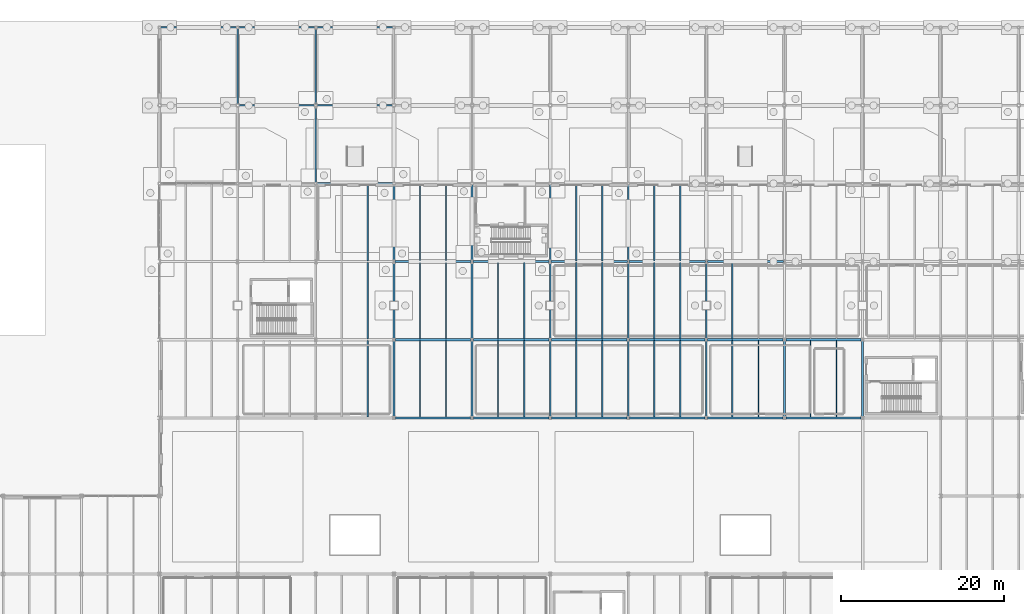
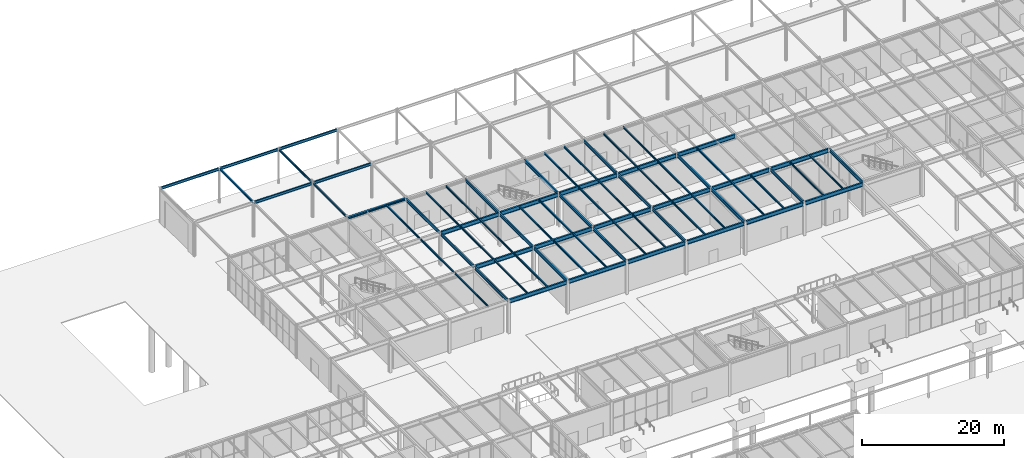
# One storey, part 78 of 142: 72 beams.
"""IFC4 building model written with IfcOpenShell, lengths in metres."""

import ifcopenshell
import ifcopenshell.guid

model = None  # the IFC model being written
_history = None  # IfcOwnerHistory: only IFC2X3 demands one
_inside = {}  # id of a spatial element -> (the spatial element, [elements in it])
_under = {}  # id of a project, library or spatial element -> (it, [spatial elements below it])
_declared = {}  # id of a project -> (the project, [libraries it declares])
_typed = {}  # id of a type object -> (the type object, [elements of that type])
_made_of = {}  # id of a material, layer set ... -> (it, [elements and type objects made of it])


def new_model(schema):
    """Start an empty IFC model of exactly this schema.

    Asked for "IFC4X3", IfcOpenShell would pick the latest addendum, in which some entities
    have other attributes; the version numbers below select the first issue.
    IFC2X3 requires an IfcOwnerHistory on every rooted entity: one is made here for all.
    """
    global model, _history
    if schema == "IFC4X3":
        model = ifcopenshell.file(schema_version=(4, 3, 0, 0))
    else:
        model = ifcopenshell.file(schema=schema)
    _inside.clear()
    _under.clear()
    _declared.clear()
    _typed.clear()
    _made_of.clear()
    _history = None
    if model.schema == "IFC2X3":
        org = make("IfcOrganization", Name="unknown")
        user = make(
            "IfcPersonAndOrganization",
            ThePerson=make("IfcPerson", FamilyName="unknown"),
            TheOrganization=org,
        )
        app = make(
            "IfcApplication",
            ApplicationDeveloper=org,
            Version="unknown",
            ApplicationFullName="unknown",
            ApplicationIdentifier="unknown",
        )
        _history = make(
            "IfcOwnerHistory",
            OwningUser=user,
            OwningApplication=app,
            ChangeAction="ADDED",
            CreationDate=0,
        )
    return model


def make(cls, **values):
    """One entity of the class cls with the attributes given. An attribute that is None is left unset."""
    return model.create_entity(
        cls, **{name: value for name, value in values.items() if value is not None}
    )


def rooted(cls, **values):
    """An entity with a GlobalId (a new one), such as an element, a storey or a relation."""
    return make(cls, GlobalId=ifcopenshell.guid.new(), OwnerHistory=_history, **values)


def si_unit(unit_type, name, prefix=None):
    """IfcSIUnit, for example si_unit("LENGTHUNIT", "METRE", prefix="MILLI")."""
    return make("IfcSIUnit", UnitType=unit_type, Prefix=prefix, Name=name)


def assignment(units):
    """IfcUnitAssignment: the units of a project."""
    return None if units is None else make("IfcUnitAssignment", Units=units)


def point(xyz):
    """IfcCartesianPoint."""
    return None if xyz is None else make("IfcCartesianPoint", Coordinates=xyz)


def direction(xyz):
    """IfcDirection."""
    return None if xyz is None else make("IfcDirection", DirectionRatios=xyz)


def frame(location, z_axis=None, x_axis=None):
    """IfcAxis2Placement3D, a coordinate frame: its origin and axes. An axis left out is left unset."""
    return make(
        "IfcAxis2Placement3D",
        Location=point(location),
        Axis=direction(z_axis),
        RefDirection=direction(x_axis),
    )


def frame_2d(location, x_axis=None):
    """IfcAxis2Placement2D, a coordinate frame in the plane: its origin and x axis."""
    return make(
        "IfcAxis2Placement2D", Location=point(location), RefDirection=direction(x_axis)
    )


def origin():
    """The frame at (0, 0, 0) with its axes left unset."""
    return frame((0.0, 0.0, 0.0))


def origin_2d():
    """The frame at (0, 0) in the plane with its x axis left unset."""
    return frame_2d((0.0, 0.0))


def place(relative_to, where):
    """IfcLocalPlacement: puts the frame where relative to a parent placement (None: the world)."""
    return make(
        "IfcLocalPlacement", PlacementRelTo=relative_to, RelativePlacement=where
    )


def context(
    kind, dimensions, precision=None, world=None, true_north=None, identifier=None
):
    """IfcGeometricRepresentationContext, for example the 3D "Model" context."""
    return make(
        "IfcGeometricRepresentationContext",
        ContextIdentifier=identifier,
        ContextType=kind,
        CoordinateSpaceDimension=dimensions,
        Precision=precision,
        WorldCoordinateSystem=world,
        TrueNorth=true_north,
    )


def subcontext(parent, identifier, kind, view, scale=None):
    """IfcGeometricRepresentationSubContext, for example "Body" below "Model"."""
    return make(
        "IfcGeometricRepresentationSubContext",
        ContextIdentifier=identifier,
        ContextType=kind,
        ParentContext=parent,
        TargetScale=scale,
        TargetView=view,
    )


def project(units=None, contexts=None):
    """IfcProject with its units and contexts."""
    return rooted(
        "IfcProject",
        Name="project",
        RepresentationContexts=contexts,
        UnitsInContext=assignment(units),
    )


def spatial(cls, under=None, at=None, **own):
    """A site, building, storey or space (cls), placed at a placement, below another one or the project."""
    s = rooted(cls, ObjectPlacement=at, **own)
    if under is not None:
        _under.setdefault(under.id(), (under, []))[1].append(s)
    return s


def profile(cls, at=None, kind="AREA", **sizes):
    """A parametric profile (cls). Its sizes go by their IFC names, for example OverallWidth=200.0."""
    return make(cls, ProfileType=kind, Position=at, **sizes)


def i_section(**sizes):
    """IfcIShapeProfileDef."""
    return profile("IfcIShapeProfileDef", **sizes)


def extrude(swept, where, along, depth):
    """IfcExtrudedAreaSolid: the profile swept, set in the frame where, extruded along a direction by depth."""
    return make(
        "IfcExtrudedAreaSolid",
        SweptArea=swept,
        Position=where,
        ExtrudedDirection=direction(along),
        Depth=depth,
    )


def shape(context_of_items, identifier, shape_type, items):
    """IfcShapeRepresentation: the items that make up one representation, for example the "Body"."""
    return make(
        "IfcShapeRepresentation",
        ContextOfItems=context_of_items,
        RepresentationIdentifier=identifier,
        RepresentationType=shape_type,
        Items=items,
    )


def material(Name=None, Category=None):
    """IfcMaterial."""
    return make("IfcMaterial", Name=Name, Category=Category)


def material_profile(
    of_material, cross_section, Name=None, Category=None, Priority=None
):
    """IfcMaterialProfile: a cross section and its material."""
    return make(
        "IfcMaterialProfile",
        Name=Name,
        Material=of_material,
        Profile=cross_section,
        Priority=Priority,
        Category=Category,
    )


def profile_set(profiles, Name=None, composite=None):
    """IfcMaterialProfileSet."""
    return make(
        "IfcMaterialProfileSet",
        Name=Name,
        MaterialProfiles=profiles,
        CompositeProfile=composite,
    )


def made_of(thing, what):
    """Note that an element or type object is made of a material, layer set ...; save() writes the relation."""
    if what is not None:
        _made_of.setdefault(what.id(), (what, []))[1].append(thing)
    return thing


def type_object(cls, material=None, **own):
    """A type object (cls), such as IfcWallType, which elements share."""
    return made_of(rooted(cls, **own), material)


def element(
    cls,
    number,
    at=None,
    inside=None,
    cuts=None,
    type_object=None,
    material=None,
    context=None,
    identifier="Body",
    shape_type=None,
    held_by="IfcProductDefinitionShape",
    body=None,
    shapes=None,
    **own,
):
    """One element of the class cls, such as IfcWall. Its Tag is "e" and its number.

    at: its placement. inside: the storey or other place that contains it. cuts: it is an
    opening in that element (IfcRelVoidsElement). A single representation is given by context,
    identifier, shape_type and body (its items); several are given by shapes. held_by: the class
    of the entity that holds the representations. save() writes the other relations.
    """
    e = rooted(cls, Tag="e%d" % number, ObjectPlacement=at, **own)
    if body is not None:
        shapes = [shape(context, identifier, shape_type, body)]
    if shapes is not None:
        e.Representation = make(held_by, Representations=shapes)
    if inside is not None:
        _inside.setdefault(inside.id(), (inside, []))[1].append(e)
    if cuts is not None:
        rooted(
            "IfcRelVoidsElement", RelatingBuildingElement=cuts, RelatedOpeningElement=e
        )
    if type_object is not None:
        _typed.setdefault(type_object.id(), (type_object, []))[1].append(e)
    return made_of(e, material)


def aggregate(whole, parts):
    """IfcRelAggregates: a whole, such as a stair, and the parts it consists of."""
    return rooted("IfcRelAggregates", RelatingObject=whole, RelatedObjects=parts)


def save(model, path):
    """Write the relations noted so far, then the file.

    IfcRelAggregates (storeys below a building ...), IfcRelContainedInSpatialStructure (elements
    in a storey), IfcRelDefinesByType, IfcRelAssociatesMaterial and IfcRelDeclares: one each for
    every whole, place, type object, material and project.
    """
    for whole, parts in _under.values():
        aggregate(whole, parts)
    for where, things in _inside.values():
        rooted(
            "IfcRelContainedInSpatialStructure",
            RelatedElements=things,
            RelatingStructure=where,
        )
    for kind, things in _typed.values():
        rooted("IfcRelDefinesByType", RelatedObjects=things, RelatingType=kind)
    for what, things in _made_of.values():
        rooted("IfcRelAssociatesMaterial", RelatedObjects=things, RelatingMaterial=what)
    for by, libraries in _declared.values():
        rooted("IfcRelDeclares", RelatingContext=by, RelatedDefinitions=libraries)
    model.write(path)


model = new_model("IFC4")

# Units and contexts
model_context = context("Model", 3, precision=1e-05, world=origin(), true_north=direction((0.0, 1.0)))
body_context = subcontext(model_context, "Body", "Model", "MODEL_VIEW")
ifc_project = project(units=[si_unit("LENGTHUNIT", "METRE"), si_unit("AREAUNIT", "SQUARE_METRE"), si_unit("VOLUMEUNIT", "CUBIC_METRE"), si_unit("PLANEANGLEUNIT", "RADIAN"), si_unit("MASSUNIT", "GRAM", prefix="KILO")], contexts=[model_context])

# Site, building, storey
site_placement = place(None, origin())
site = spatial("IfcSite", under=ifc_project, at=site_placement, CompositionType="ELEMENT")
building_placement = place(site_placement, origin())
building = spatial("IfcBuilding", under=site, at=building_placement, Name="Coralgate Yard Interchange", CompositionType="ELEMENT")
storey_placement = place(building_placement, origin())
storey = spatial("IfcBuildingStorey", under=building, at=storey_placement, Name="L00", CompositionType="ELEMENT", Elevation=0.0)

# Beams
ifc_material = material(Name="Structural steel S355J2", Category="steel")
ifc_material_profile_1 = material_profile(ifc_material, i_section(OverallWidth=0.209228515625, OverallDepth=0.533203125, WebThickness=0.010009765625, FlangeThickness=0.015625, FilletRadius=0.0126953125, at=origin_2d()), Name="UB 533x210x92")
ifc_profile_set_1 = profile_set([ifc_material_profile_1], Name="Structural steel S355J2")
beam_type_1 = type_object("IfcBeamType", Name="BM-SB-1", PredefinedType="BEAM", material=ifc_profile_set_1)
beam_1_placement = place(storey_placement, frame((67.199951171875, 67.36669921875, 5.4833984375), z_axis=(0.0, 1.0, 0.0), x_axis=(-1.0, 0.0, 0.0)))
element("IfcBeam", 1, at=beam_1_placement, inside=storey, type_object=beam_type_1, Name="L00 primary grid girder X7 Y7-8", PredefinedType="BEAM", context=body_context, shape_type="SweptSolid", body=[
    extrude(i_section(OverallWidth=0.209228515625, OverallDepth=0.533203125, WebThickness=0.010009765625, FlangeThickness=0.015625, FilletRadius=0.0126953125, at=origin_2d()), origin(), (0.0, 0.0, 1.0), 9.2666015625),
])
beam_2_placement = place(storey_placement, frame((67.199951171875, 76.966796875, 5.4833984375), z_axis=(0.0, 1.0, 0.0), x_axis=(-1.0, 0.0, 0.0)))
element("IfcBeam", 2, at=beam_2_placement, inside=storey, type_object=beam_type_1, Name="L00 primary grid girder X7 Y8-9", PredefinedType="BEAM", context=body_context, shape_type="SweptSolid", body=[
    extrude(i_section(OverallWidth=0.209228515625, OverallDepth=0.533203125, WebThickness=0.010009765625, FlangeThickness=0.015625, FilletRadius=0.0126953125, at=origin_2d()), origin(), (0.0, 0.0, 1.0), 9.213134765625),
])
beam_3_placement = place(storey_placement, frame((67.199951171875, 86.6201171875, 5.4833984375), z_axis=(0.0, 1.0, 0.0), x_axis=(-1.0, 0.0, 0.0)))
element("IfcBeam", 3, at=beam_3_placement, inside=storey, type_object=beam_type_1, Name="L00 primary grid girder X7 Y9-10", PredefinedType="BEAM", context=body_context, shape_type="SweptSolid", body=[
    extrude(i_section(OverallWidth=0.209228515625, OverallDepth=0.533203125, WebThickness=0.010009765625, FlangeThickness=0.015625, FilletRadius=0.0126953125, at=origin_2d()), origin(), (0.0, 0.0, 1.0), 9.247802734375),
])
beam_4_placement = place(storey_placement, frame((76.800048828125, 67.36669921875, 5.4833984375), z_axis=(0.0, 1.0, 0.0), x_axis=(-1.0, 0.0, 0.0)))
element("IfcBeam", 4, at=beam_4_placement, inside=storey, type_object=beam_type_1, Name="L00 primary grid girder X8 Y7-8", PredefinedType="BEAM", context=body_context, shape_type="SweptSolid", body=[
    extrude(i_section(OverallWidth=0.209228515625, OverallDepth=0.533203125, WebThickness=0.010009765625, FlangeThickness=0.015625, FilletRadius=0.0126953125, at=origin_2d()), origin(), (0.0, 0.0, 1.0), 9.2666015625),
])
beam_5_placement = place(storey_placement, frame((76.800048828125, 76.966796875, 5.4833984375), z_axis=(0.0, 1.0, 0.0), x_axis=(-1.0, 0.0, 0.0)))
element("IfcBeam", 5, at=beam_5_placement, inside=storey, type_object=beam_type_1, Name="L00 primary grid girder X8 Y8-9", PredefinedType="BEAM", context=body_context, shape_type="SweptSolid", body=[
    extrude(i_section(OverallWidth=0.209228515625, OverallDepth=0.533203125, WebThickness=0.010009765625, FlangeThickness=0.015625, FilletRadius=0.0126953125, at=origin_2d()), origin(), (0.0, 0.0, 1.0), 9.213134765625),
])
beam_6_placement = place(storey_placement, frame((76.800048828125, 86.6201171875, 5.4833984375), z_axis=(0.0, 1.0, 0.0), x_axis=(-1.0, 0.0, 0.0)))
element("IfcBeam", 6, at=beam_6_placement, inside=storey, type_object=beam_type_1, Name="L00 primary grid girder X8 Y9-10", PredefinedType="BEAM", context=body_context, shape_type="SweptSolid", body=[
    extrude(i_section(OverallWidth=0.209228515625, OverallDepth=0.533203125, WebThickness=0.010009765625, FlangeThickness=0.015625, FilletRadius=0.0126953125, at=origin_2d()), origin(), (0.0, 0.0, 1.0), 9.247802734375),
])
beam_7_placement = place(storey_placement, frame((86.39990234375, 67.36669921875, 5.4833984375), z_axis=(0.0, 1.0, 0.0), x_axis=(-1.0, 0.0, 0.0)))
element("IfcBeam", 7, at=beam_7_placement, inside=storey, type_object=beam_type_1, Name="L00 primary grid girder X9 Y7-8", PredefinedType="BEAM", context=body_context, shape_type="SweptSolid", body=[
    extrude(i_section(OverallWidth=0.209228515625, OverallDepth=0.533203125, WebThickness=0.010009765625, FlangeThickness=0.015625, FilletRadius=0.0126953125, at=origin_2d()), origin(), (0.0, 0.0, 1.0), 9.2666015625),
])
beam_8_placement = place(storey_placement, frame((86.39990234375, 76.966796875, 5.4833984375), z_axis=(0.0, 1.0, 0.0), x_axis=(-1.0, 0.0, 0.0)))
element("IfcBeam", 8, at=beam_8_placement, inside=storey, type_object=beam_type_1, Name="L00 primary grid girder X9 Y8-9", PredefinedType="BEAM", context=body_context, shape_type="SweptSolid", body=[
    extrude(i_section(OverallWidth=0.209228515625, OverallDepth=0.533203125, WebThickness=0.010009765625, FlangeThickness=0.015625, FilletRadius=0.0126953125, at=origin_2d()), origin(), (0.0, 0.0, 1.0), 9.213134765625),
])
beam_9_placement = place(storey_placement, frame((86.39990234375, 86.6201171875, 5.4833984375), z_axis=(0.0, 1.0, 0.0), x_axis=(-1.0, 0.0, 0.0)))
element("IfcBeam", 9, at=beam_9_placement, inside=storey, type_object=beam_type_1, Name="L00 primary grid girder X9 Y9-10", PredefinedType="BEAM", context=body_context, shape_type="SweptSolid", body=[
    extrude(i_section(OverallWidth=0.209228515625, OverallDepth=0.533203125, WebThickness=0.010009765625, FlangeThickness=0.015625, FilletRadius=0.0126953125, at=origin_2d()), origin(), (0.0, 0.0, 1.0), 9.247802734375),
])
beam_10_placement = place(storey_placement, frame((96.0, 67.36669921875, 5.4833984375), z_axis=(0.0, 1.0, 0.0), x_axis=(-1.0, 0.0, 0.0)))
element("IfcBeam", 10, at=beam_10_placement, inside=storey, type_object=beam_type_1, Name="L00 primary grid girder X10 Y7-8", PredefinedType="BEAM", context=body_context, shape_type="SweptSolid", body=[
    extrude(i_section(OverallWidth=0.209228515625, OverallDepth=0.533203125, WebThickness=0.010009765625, FlangeThickness=0.015625, FilletRadius=0.0126953125, at=origin_2d()), origin(), (0.0, 0.0, 1.0), 9.2666015625),
])
beam_11_placement = place(storey_placement, frame((96.0, 76.966796875, 5.4833984375), z_axis=(0.0, 1.0, 0.0), x_axis=(-1.0, 0.0, 0.0)))
element("IfcBeam", 11, at=beam_11_placement, inside=storey, type_object=beam_type_1, Name="L00 primary grid girder X10 Y8-9", PredefinedType="BEAM", context=body_context, shape_type="SweptSolid", body=[
    extrude(i_section(OverallWidth=0.209228515625, OverallDepth=0.533203125, WebThickness=0.010009765625, FlangeThickness=0.015625, FilletRadius=0.0126953125, at=origin_2d()), origin(), (0.0, 0.0, 1.0), 9.213134765625),
])
beam_12_placement = place(storey_placement, frame((96.0, 86.6201171875, 5.4833984375), z_axis=(0.0, 1.0, 0.0), x_axis=(-1.0, 0.0, 0.0)))
element("IfcBeam", 12, at=beam_12_placement, inside=storey, type_object=beam_type_1, Name="L00 primary grid girder X10 Y9-10", PredefinedType="BEAM", context=body_context, shape_type="SweptSolid", body=[
    extrude(i_section(OverallWidth=0.209228515625, OverallDepth=0.533203125, WebThickness=0.010009765625, FlangeThickness=0.015625, FilletRadius=0.0126953125, at=origin_2d()), origin(), (0.0, 0.0, 1.0), 9.247802734375),
])
beam_13_placement = place(storey_placement, frame((105.60009765625, 67.36669921875, 5.4833984375), z_axis=(0.0, 1.0, 0.0), x_axis=(-1.0, 0.0, 0.0)))
element("IfcBeam", 13, at=beam_13_placement, inside=storey, type_object=beam_type_1, Name="L00 primary grid girder X11 Y7-8", PredefinedType="BEAM", context=body_context, shape_type="SweptSolid", body=[
    extrude(i_section(OverallWidth=0.209228515625, OverallDepth=0.533203125, WebThickness=0.010009765625, FlangeThickness=0.015625, FilletRadius=0.0126953125, at=origin_2d()), origin(), (0.0, 0.0, 1.0), 9.2666015625),
])
beam_14_placement = place(storey_placement, frame((105.60009765625, 76.966796875, 5.4833984375), z_axis=(0.0, 1.0, 0.0), x_axis=(-1.0, 0.0, 0.0)))
element("IfcBeam", 14, at=beam_14_placement, inside=storey, type_object=beam_type_1, Name="L00 primary grid girder X11 Y8-9", PredefinedType="BEAM", context=body_context, shape_type="SweptSolid", body=[
    extrude(i_section(OverallWidth=0.209228515625, OverallDepth=0.533203125, WebThickness=0.010009765625, FlangeThickness=0.015625, FilletRadius=0.0126953125, at=origin_2d()), origin(), (0.0, 0.0, 1.0), 9.213134765625),
])
for number, where, z_axis, x_axis, name in (
    (15, (115.199951171875, 67.36669921875, 5.4833984375), (0.0, 1.0, 0.0), (-1.0, 0.0, 0.0), "L00 primary grid girder X12 Y7-8"),
    (16, (124.800048828125, 67.36669921875, 5.4833984375), (0.0, 1.0, 0.0), (-1.0, 0.0, 0.0), "L00 primary grid girder X13 Y7-8"),
):
    element("IfcBeam", number, at=place(storey_placement, frame(where, z_axis=z_axis, x_axis=x_axis)), inside=storey, type_object=beam_type_1, Name=name, PredefinedType="BEAM", context=body_context, shape_type="SweptSolid", body=[
        extrude(i_section(OverallWidth=0.209228515625, OverallDepth=0.533203125, WebThickness=0.010009765625, FlangeThickness=0.015625, FilletRadius=0.0126953125, at=origin_2d()), origin(), (0.0, 0.0, 1.0), 9.2666015625),
    ])
ifc_material_profile_2 = material_profile(ifc_material, i_section(OverallWidth=0.1904296875, OverallDepth=0.45703125, WebThickness=0.009033203125, FlangeThickness=0.014404296875, FilletRadius=0.01025390625, at=origin_2d()), Name="UB 457x191x74")
ifc_profile_set_2 = profile_set([ifc_material_profile_2], Name="Structural steel S355J2")
beam_type_2 = type_object("IfcBeamType", Name="BM-SB-2", PredefinedType="BEAM", material=ifc_profile_set_2)
beam_15_placement = place(storey_placement, frame((48.1201171875, 105.60009765625, 5.771484375), z_axis=(1.0, 0.0, 0.0), x_axis=(0.0, 1.0, 0.0)))
element("IfcBeam", 17, at=beam_15_placement, inside=storey, type_object=beam_type_2, Name="Wave-canopy valley support girder Y11-X5", PredefinedType="BEAM", context=body_context, shape_type="SweptSolid", body=[
    extrude(i_section(OverallWidth=0.1904296875, OverallDepth=0.45703125, WebThickness=0.009033203125, FlangeThickness=0.014404296875, FilletRadius=0.01025390625, at=origin_2d()), origin(), (0.0, 0.0, 1.0), 9.35986328125),
])
beam_16_placement = place(storey_placement, frame((57.719970703125, 105.60009765625, 5.771484375), z_axis=(1.0, 0.0, 0.0), x_axis=(0.0, 1.0, 0.0)))
element("IfcBeam", 18, at=beam_16_placement, inside=storey, type_object=beam_type_2, Name="Wave-canopy valley support girder Y11-X6", PredefinedType="BEAM", context=body_context, shape_type="SweptSolid", body=[
    extrude(i_section(OverallWidth=0.1904296875, OverallDepth=0.45703125, WebThickness=0.009033203125, FlangeThickness=0.014404296875, FilletRadius=0.01025390625, at=origin_2d()), origin(), (0.0, 0.0, 1.0), 9.360107421875),
])
for number, where, z_axis, x_axis, name in (
    (19, (38.52001953125, 115.199951171875, 5.771484375), (1.0, 0.0, 0.0), (0.0, 1.0, 0.0), "Wave-canopy valley support girder Y12-X4"),
    (20, (48.1201171875, 115.199951171875, 5.771484375), (1.0, 0.0, 0.0), (0.0, 1.0, 0.0), "Wave-canopy valley support girder Y12-X5"),
):
    element("IfcBeam", number, at=place(storey_placement, frame(where, z_axis=z_axis, x_axis=x_axis)), inside=storey, type_object=beam_type_2, Name=name, PredefinedType="BEAM", context=body_context, shape_type="SweptSolid", body=[
        extrude(i_section(OverallWidth=0.1904296875, OverallDepth=0.45703125, WebThickness=0.009033203125, FlangeThickness=0.014404296875, FilletRadius=0.01025390625, at=origin_2d()), origin(), (0.0, 0.0, 1.0), 9.35986328125),
    ])
beam_17_placement = place(storey_placement, frame((57.719970703125, 115.199951171875, 5.771484375), z_axis=(1.0, 0.0, 0.0), x_axis=(0.0, 1.0, 0.0)))
element("IfcBeam", 21, at=beam_17_placement, inside=storey, type_object=beam_type_2, Name="Wave-canopy valley support girder Y12-X6", PredefinedType="BEAM", context=body_context, shape_type="SweptSolid", body=[
    extrude(i_section(OverallWidth=0.1904296875, OverallDepth=0.45703125, WebThickness=0.009033203125, FlangeThickness=0.014404296875, FilletRadius=0.01025390625, at=origin_2d()), origin(), (0.0, 0.0, 1.0), 9.360107421875),
])
ifc_material_profile_3 = material_profile(ifc_material, i_section(OverallWidth=0.17138671875, OverallDepth=0.35498046875, WebThickness=0.00732421875, FlangeThickness=0.011474609375, FilletRadius=0.01025390625, at=origin_2d()), Name="UB 356x171x51")
ifc_profile_set_3 = profile_set([ifc_material_profile_3], Name="Structural steel S355J2")
beam_type_3 = type_object("IfcBeamType", Name="BM-SB-4", PredefinedType="BEAM", material=ifc_profile_set_3)
for number, where, z_axis, x_axis, name in (
    (22, (48.0, 105.739990234375, 5.822509765625), (0.0, 1.0, 0.0), (-1.0, 0.0, 0.0), "Wave-canopy transverse girder X5-Y11"),
    (23, (57.60009765625, 96.139892578125, 5.822509765625), (0.0, 1.0, 0.0), (-1.0, 0.0, 0.0), "Wave-canopy transverse girder X6-Y10"),
    (24, (57.60009765625, 105.739990234375, 5.822509765625), (0.0, 1.0, 0.0), (-1.0, 0.0, 0.0), "Wave-canopy transverse girder X6-Y11"),
):
    element("IfcBeam", number, at=place(storey_placement, frame(where, z_axis=z_axis, x_axis=x_axis)), inside=storey, type_object=beam_type_3, Name=name, PredefinedType="BEAM", context=body_context, shape_type="SweptSolid", body=[
        extrude(i_section(OverallWidth=0.17138671875, OverallDepth=0.35498046875, WebThickness=0.00732421875, FlangeThickness=0.011474609375, FilletRadius=0.01025390625, at=origin_2d()), origin(), (0.0, 0.0, 1.0), 9.320068359375),
    ])
ifc_material_profile_4 = material_profile(ifc_material, i_section(OverallWidth=0.253662109375, OverallDepth=0.68359375, WebThickness=0.012451171875, FlangeThickness=0.01904296875, FilletRadius=0.01513671875, at=origin_2d()), Name="UB 686x254x140")
ifc_profile_set_4 = profile_set([ifc_material_profile_4], Name="Structural steel S355J2")
beam_type_4 = type_object("IfcBeamType", Name="BM-SG-4", PredefinedType="BEAM", material=ifc_profile_set_4)
beam_18_placement = place(storey_placement, frame((67.369384765625, 67.199951171875, 5.408203125), z_axis=(1.0, 0.0, 0.0), x_axis=(0.0, 1.0, 0.0)))
element("IfcBeam", 25, at=beam_18_placement, inside=storey, type_object=beam_type_4, Name="L00 primary grid beam Y7 X7-8", PredefinedType="BEAM", context=body_context, shape_type="SweptSolid", body=[
    extrude(i_section(OverallWidth=0.253662109375, OverallDepth=0.68359375, WebThickness=0.012451171875, FlangeThickness=0.01904296875, FilletRadius=0.01513671875, at=origin_2d()), origin(), (0.0, 0.0, 1.0), 9.26123046875),
])
for number, where, z_axis, x_axis, name in (
    (26, (76.969482421875, 67.199951171875, 5.408203125), (1.0, 0.0, 0.0), (0.0, 1.0, 0.0), "L00 primary grid beam Y7 X8-9"),
    (27, (86.569580078125, 67.199951171875, 5.408203125), (1.0, 0.0, 0.0), (0.0, 1.0, 0.0), "L00 primary grid beam Y7 X9-10"),
    (28, (96.16943359375, 67.199951171875, 5.408203125), (1.0, 0.0, 0.0), (0.0, 1.0, 0.0), "L00 primary grid beam Y7 X10-11"),
    (29, (105.76953125, 67.199951171875, 5.408203125), (1.0, 0.0, 0.0), (0.0, 1.0, 0.0), "L00 primary grid beam Y7 X11-12"),
):
    element("IfcBeam", number, at=place(storey_placement, frame(where, z_axis=z_axis, x_axis=x_axis)), inside=storey, type_object=beam_type_4, Name=name, PredefinedType="BEAM", context=body_context, shape_type="SweptSolid", body=[
        extrude(i_section(OverallWidth=0.253662109375, OverallDepth=0.68359375, WebThickness=0.012451171875, FlangeThickness=0.01904296875, FilletRadius=0.01513671875, at=origin_2d()), origin(), (0.0, 0.0, 1.0), 9.260986328125),
    ])
for number, where, z_axis, x_axis, name in (
    (30, (115.369384765625, 67.199951171875, 5.408203125), (1.0, 0.0, 0.0), (0.0, 1.0, 0.0), "L00 primary grid beam Y7 X12-13"),
    (31, (67.369384765625, 76.800048828125, 5.408203125), (1.0, 0.0, 0.0), (0.0, 1.0, 0.0), "L00 primary grid beam Y8 X7-8"),
):
    element("IfcBeam", number, at=place(storey_placement, frame(where, z_axis=z_axis, x_axis=x_axis)), inside=storey, type_object=beam_type_4, Name=name, PredefinedType="BEAM", context=body_context, shape_type="SweptSolid", body=[
        extrude(i_section(OverallWidth=0.253662109375, OverallDepth=0.68359375, WebThickness=0.012451171875, FlangeThickness=0.01904296875, FilletRadius=0.01513671875, at=origin_2d()), origin(), (0.0, 0.0, 1.0), 9.26123046875),
    ])
for number, where, z_axis, x_axis, name in (
    (32, (76.969482421875, 76.800048828125, 5.408203125), (1.0, 0.0, 0.0), (0.0, 1.0, 0.0), "L00 primary grid beam Y8 X8-9"),
    (33, (86.569580078125, 76.800048828125, 5.408203125), (1.0, 0.0, 0.0), (0.0, 1.0, 0.0), "L00 primary grid beam Y8 X9-10"),
    (34, (96.16943359375, 76.800048828125, 5.408203125), (1.0, 0.0, 0.0), (0.0, 1.0, 0.0), "L00 primary grid beam Y8 X10-11"),
    (35, (105.76953125, 76.800048828125, 5.408203125), (1.0, 0.0, 0.0), (0.0, 1.0, 0.0), "L00 primary grid beam Y8 X11-12"),
):
    element("IfcBeam", number, at=place(storey_placement, frame(where, z_axis=z_axis, x_axis=x_axis)), inside=storey, type_object=beam_type_4, Name=name, PredefinedType="BEAM", context=body_context, shape_type="SweptSolid", body=[
        extrude(i_section(OverallWidth=0.253662109375, OverallDepth=0.68359375, WebThickness=0.012451171875, FlangeThickness=0.01904296875, FilletRadius=0.01513671875, at=origin_2d()), origin(), (0.0, 0.0, 1.0), 9.260986328125),
    ])
beam_19_placement = place(storey_placement, frame((115.369384765625, 76.800048828125, 5.408203125), z_axis=(1.0, 0.0, 0.0), x_axis=(0.0, 1.0, 0.0)))
element("IfcBeam", 36, at=beam_19_placement, inside=storey, type_object=beam_type_4, Name="L00 primary grid beam Y8 X12-13", PredefinedType="BEAM", context=body_context, shape_type="SweptSolid", body=[
    extrude(i_section(OverallWidth=0.253662109375, OverallDepth=0.68359375, WebThickness=0.012451171875, FlangeThickness=0.01904296875, FilletRadius=0.01513671875, at=origin_2d()), origin(), (0.0, 0.0, 1.0), 9.26123046875),
])
beam_20_placement = place(storey_placement, frame((67.320068359375, 86.39990234375, 5.408203125), z_axis=(1.0, 0.0, 0.0), x_axis=(0.0, 1.0, 0.0)))
element("IfcBeam", 37, at=beam_20_placement, inside=storey, type_object=beam_type_4, Name="L00 primary grid beam Y9 X7-8", PredefinedType="BEAM", context=body_context, shape_type="SweptSolid", body=[
    extrude(i_section(OverallWidth=0.253662109375, OverallDepth=0.68359375, WebThickness=0.012451171875, FlangeThickness=0.01904296875, FilletRadius=0.01513671875, at=origin_2d()), origin(), (0.0, 0.0, 1.0), 9.35986328125),
])
beam_21_placement = place(storey_placement, frame((76.919921875, 86.39990234375, 5.408203125), z_axis=(1.0, 0.0, 0.0), x_axis=(0.0, 1.0, 0.0)))
element("IfcBeam", 38, at=beam_21_placement, inside=storey, type_object=beam_type_4, Name="L00 primary grid beam Y9 X8-9", PredefinedType="BEAM", context=body_context, shape_type="SweptSolid", body=[
    extrude(i_section(OverallWidth=0.253662109375, OverallDepth=0.68359375, WebThickness=0.012451171875, FlangeThickness=0.01904296875, FilletRadius=0.01513671875, at=origin_2d()), origin(), (0.0, 0.0, 1.0), 9.360107421875),
])
for number, where, z_axis, x_axis, name in (
    (39, (86.52001953125, 86.39990234375, 5.408203125), (1.0, 0.0, 0.0), (0.0, 1.0, 0.0), "L00 primary grid beam Y9 X9-10"),
    (40, (96.1201171875, 86.39990234375, 5.408203125), (1.0, 0.0, 0.0), (0.0, 1.0, 0.0), "L00 primary grid beam Y9 X10-11"),
):
    element("IfcBeam", number, at=place(storey_placement, frame(where, z_axis=z_axis, x_axis=x_axis)), inside=storey, type_object=beam_type_4, Name=name, PredefinedType="BEAM", context=body_context, shape_type="SweptSolid", body=[
        extrude(i_section(OverallWidth=0.253662109375, OverallDepth=0.68359375, WebThickness=0.012451171875, FlangeThickness=0.01904296875, FilletRadius=0.01513671875, at=origin_2d()), origin(), (0.0, 0.0, 1.0), 9.35986328125),
    ])
beam_22_placement = place(storey_placement, frame((105.719970703125, 86.39990234375, 5.408203125), z_axis=(1.0, 0.0, 0.0), x_axis=(0.0, 1.0, 0.0)))
element("IfcBeam", 41, at=beam_22_placement, inside=storey, type_object=beam_type_4, Name="L00 primary grid beam Y9 X11-12", PredefinedType="BEAM", context=body_context, shape_type="SweptSolid", body=[
    extrude(i_section(OverallWidth=0.253662109375, OverallDepth=0.68359375, WebThickness=0.012451171875, FlangeThickness=0.01904296875, FilletRadius=0.01513671875, at=origin_2d()), origin(), (0.0, 0.0, 1.0), 9.360107421875),
])
ifc_material_profile_5 = material_profile(ifc_material, i_section(OverallWidth=0.1650390625, OverallDepth=0.303466796875, WebThickness=0.006103515625, FlangeThickness=0.01025390625, FilletRadius=0.0087890625, at=origin_2d()), Name="UB 305x165x40")
ifc_profile_set_5 = profile_set([ifc_material_profile_5], Name="Structural steel S355J2")
beam_type_5 = type_object("IfcBeamType", Name="BM-SJ-1", PredefinedType="JOIST", material=ifc_profile_set_5)
beam_23_placement = place(storey_placement, frame((64.0, 67.296875, 5.598388671875), z_axis=(0.0, 1.0, 0.0), x_axis=(-1.0, 0.0, 0.0)))
element("IfcBeam", 42, at=beam_23_placement, inside=storey, type_object=beam_type_5, Name="L00 composite floor joist 6-7-2", PredefinedType="JOIST", context=body_context, shape_type="SweptSolid", body=[
    extrude(i_section(OverallWidth=0.1650390625, OverallDepth=0.303466796875, WebThickness=0.006103515625, FlangeThickness=0.01025390625, FilletRadius=0.0087890625, at=origin_2d()), origin(), (0.0, 0.0, 1.0), 9.40625),
])
beam_24_placement = place(storey_placement, frame((64.0, 76.89697265625, 5.598388671875), z_axis=(0.0, 1.0, 0.0), x_axis=(-1.0, 0.0, 0.0)))
element("IfcBeam", 43, at=beam_24_placement, inside=storey, type_object=beam_type_5, Name="L00 composite floor joist 6-8-2", PredefinedType="JOIST", context=body_context, shape_type="SweptSolid", body=[
    extrude(i_section(OverallWidth=0.1650390625, OverallDepth=0.303466796875, WebThickness=0.006103515625, FlangeThickness=0.01025390625, FilletRadius=0.0087890625, at=origin_2d()), origin(), (0.0, 0.0, 1.0), 9.406005859375),
])
beam_25_placement = place(storey_placement, frame((64.0, 86.496826171875, 5.598388671875), z_axis=(0.0, 1.0, 0.0), x_axis=(-1.0, 0.0, 0.0)))
element("IfcBeam", 44, at=beam_25_placement, inside=storey, type_object=beam_type_5, Name="L00 composite floor joist 6-9-2", PredefinedType="JOIST", context=body_context, shape_type="SweptSolid", body=[
    extrude(i_section(OverallWidth=0.1650390625, OverallDepth=0.303466796875, WebThickness=0.006103515625, FlangeThickness=0.01025390625, FilletRadius=0.0087890625, at=origin_2d()), origin(), (0.0, 0.0, 1.0), 9.383056640625),
])
for number, where, z_axis, x_axis, name in (
    (45, (70.39990234375, 67.296875, 5.598388671875), (0.0, 1.0, 0.0), (-1.0, 0.0, 0.0), "L00 composite floor joist 7-7-1"),
    (46, (73.60009765625, 67.296875, 5.598388671875), (0.0, 1.0, 0.0), (-1.0, 0.0, 0.0), "L00 composite floor joist 7-7-2"),
):
    element("IfcBeam", number, at=place(storey_placement, frame(where, z_axis=z_axis, x_axis=x_axis)), inside=storey, type_object=beam_type_5, Name=name, PredefinedType="JOIST", context=body_context, shape_type="SweptSolid", body=[
        extrude(i_section(OverallWidth=0.1650390625, OverallDepth=0.303466796875, WebThickness=0.006103515625, FlangeThickness=0.01025390625, FilletRadius=0.0087890625, at=origin_2d()), origin(), (0.0, 0.0, 1.0), 9.40625),
    ])
for number, where, z_axis, x_axis, name in (
    (47, (70.39990234375, 76.89697265625, 5.598388671875), (0.0, 1.0, 0.0), (-1.0, 0.0, 0.0), "L00 composite floor joist 7-8-1"),
    (48, (73.60009765625, 76.89697265625, 5.598388671875), (0.0, 1.0, 0.0), (-1.0, 0.0, 0.0), "L00 composite floor joist 7-8-2"),
):
    element("IfcBeam", number, at=place(storey_placement, frame(where, z_axis=z_axis, x_axis=x_axis)), inside=storey, type_object=beam_type_5, Name=name, PredefinedType="JOIST", context=body_context, shape_type="SweptSolid", body=[
        extrude(i_section(OverallWidth=0.1650390625, OverallDepth=0.303466796875, WebThickness=0.006103515625, FlangeThickness=0.01025390625, FilletRadius=0.0087890625, at=origin_2d()), origin(), (0.0, 0.0, 1.0), 9.406005859375),
    ])
for number, where, z_axis, x_axis, name in (
    (49, (70.39990234375, 86.496826171875, 5.598388671875), (0.0, 1.0, 0.0), (-1.0, 0.0, 0.0), "L00 composite floor joist 7-9-1"),
    (50, (73.60009765625, 86.496826171875, 5.598388671875), (0.0, 1.0, 0.0), (-1.0, 0.0, 0.0), "L00 composite floor joist 7-9-2"),
):
    element("IfcBeam", number, at=place(storey_placement, frame(where, z_axis=z_axis, x_axis=x_axis)), inside=storey, type_object=beam_type_5, Name=name, PredefinedType="JOIST", context=body_context, shape_type="SweptSolid", body=[
        extrude(i_section(OverallWidth=0.1650390625, OverallDepth=0.303466796875, WebThickness=0.006103515625, FlangeThickness=0.01025390625, FilletRadius=0.0087890625, at=origin_2d()), origin(), (0.0, 0.0, 1.0), 9.383056640625),
    ])
for number, where, z_axis, x_axis, name in (
    (51, (80.0, 67.296875, 5.598388671875), (0.0, 1.0, 0.0), (-1.0, 0.0, 0.0), "L00 composite floor joist 8-7-1"),
    (52, (83.199951171875, 67.296875, 5.598388671875), (0.0, 1.0, 0.0), (-1.0, 0.0, 0.0), "L00 composite floor joist 8-7-2"),
):
    element("IfcBeam", number, at=place(storey_placement, frame(where, z_axis=z_axis, x_axis=x_axis)), inside=storey, type_object=beam_type_5, Name=name, PredefinedType="JOIST", context=body_context, shape_type="SweptSolid", body=[
        extrude(i_section(OverallWidth=0.1650390625, OverallDepth=0.303466796875, WebThickness=0.006103515625, FlangeThickness=0.01025390625, FilletRadius=0.0087890625, at=origin_2d()), origin(), (0.0, 0.0, 1.0), 9.40625),
    ])
for number, where, z_axis, x_axis, name in (
    (53, (80.0, 76.89697265625, 5.598388671875), (0.0, 1.0, 0.0), (-1.0, 0.0, 0.0), "L00 composite floor joist 8-8-1"),
    (54, (83.199951171875, 76.89697265625, 5.598388671875), (0.0, 1.0, 0.0), (-1.0, 0.0, 0.0), "L00 composite floor joist 8-8-2"),
):
    element("IfcBeam", number, at=place(storey_placement, frame(where, z_axis=z_axis, x_axis=x_axis)), inside=storey, type_object=beam_type_5, Name=name, PredefinedType="JOIST", context=body_context, shape_type="SweptSolid", body=[
        extrude(i_section(OverallWidth=0.1650390625, OverallDepth=0.303466796875, WebThickness=0.006103515625, FlangeThickness=0.01025390625, FilletRadius=0.0087890625, at=origin_2d()), origin(), (0.0, 0.0, 1.0), 9.406005859375),
    ])
for number, where, z_axis, x_axis, name in (
    (55, (89.60009765625, 67.296875, 5.598388671875), (0.0, 1.0, 0.0), (-1.0, 0.0, 0.0), "L00 composite floor joist 9-7-1"),
    (56, (92.800048828125, 67.296875, 5.598388671875), (0.0, 1.0, 0.0), (-1.0, 0.0, 0.0), "L00 composite floor joist 9-7-2"),
):
    element("IfcBeam", number, at=place(storey_placement, frame(where, z_axis=z_axis, x_axis=x_axis)), inside=storey, type_object=beam_type_5, Name=name, PredefinedType="JOIST", context=body_context, shape_type="SweptSolid", body=[
        extrude(i_section(OverallWidth=0.1650390625, OverallDepth=0.303466796875, WebThickness=0.006103515625, FlangeThickness=0.01025390625, FilletRadius=0.0087890625, at=origin_2d()), origin(), (0.0, 0.0, 1.0), 9.40625),
    ])
for number, where, z_axis, x_axis, name in (
    (57, (89.60009765625, 76.89697265625, 5.598388671875), (0.0, 1.0, 0.0), (-1.0, 0.0, 0.0), "L00 composite floor joist 9-8-1"),
    (58, (92.800048828125, 76.89697265625, 5.598388671875), (0.0, 1.0, 0.0), (-1.0, 0.0, 0.0), "L00 composite floor joist 9-8-2"),
):
    element("IfcBeam", number, at=place(storey_placement, frame(where, z_axis=z_axis, x_axis=x_axis)), inside=storey, type_object=beam_type_5, Name=name, PredefinedType="JOIST", context=body_context, shape_type="SweptSolid", body=[
        extrude(i_section(OverallWidth=0.1650390625, OverallDepth=0.303466796875, WebThickness=0.006103515625, FlangeThickness=0.01025390625, FilletRadius=0.0087890625, at=origin_2d()), origin(), (0.0, 0.0, 1.0), 9.406005859375),
    ])
for number, where, z_axis, x_axis, name in (
    (59, (89.60009765625, 86.496826171875, 5.598388671875), (0.0, 1.0, 0.0), (-1.0, 0.0, 0.0), "L00 composite floor joist 9-9-1"),
    (60, (92.800048828125, 86.496826171875, 5.598388671875), (0.0, 1.0, 0.0), (-1.0, 0.0, 0.0), "L00 composite floor joist 9-9-2"),
):
    element("IfcBeam", number, at=place(storey_placement, frame(where, z_axis=z_axis, x_axis=x_axis)), inside=storey, type_object=beam_type_5, Name=name, PredefinedType="JOIST", context=body_context, shape_type="SweptSolid", body=[
        extrude(i_section(OverallWidth=0.1650390625, OverallDepth=0.303466796875, WebThickness=0.006103515625, FlangeThickness=0.01025390625, FilletRadius=0.0087890625, at=origin_2d()), origin(), (0.0, 0.0, 1.0), 9.383056640625),
    ])
for number, where, z_axis, x_axis, name in (
    (61, (99.199951171875, 67.296875, 5.598388671875), (0.0, 1.0, 0.0), (-1.0, 0.0, 0.0), "L00 composite floor joist 10-7-1"),
    (62, (102.39990234375, 67.296875, 5.598388671875), (0.0, 1.0, 0.0), (-1.0, 0.0, 0.0), "L00 composite floor joist 10-7-2"),
):
    element("IfcBeam", number, at=place(storey_placement, frame(where, z_axis=z_axis, x_axis=x_axis)), inside=storey, type_object=beam_type_5, Name=name, PredefinedType="JOIST", context=body_context, shape_type="SweptSolid", body=[
        extrude(i_section(OverallWidth=0.1650390625, OverallDepth=0.303466796875, WebThickness=0.006103515625, FlangeThickness=0.01025390625, FilletRadius=0.0087890625, at=origin_2d()), origin(), (0.0, 0.0, 1.0), 9.40625),
    ])
for number, where, z_axis, x_axis, name in (
    (63, (99.199951171875, 76.89697265625, 5.598388671875), (0.0, 1.0, 0.0), (-1.0, 0.0, 0.0), "L00 composite floor joist 10-8-1"),
    (64, (102.39990234375, 76.89697265625, 5.598388671875), (0.0, 1.0, 0.0), (-1.0, 0.0, 0.0), "L00 composite floor joist 10-8-2"),
):
    element("IfcBeam", number, at=place(storey_placement, frame(where, z_axis=z_axis, x_axis=x_axis)), inside=storey, type_object=beam_type_5, Name=name, PredefinedType="JOIST", context=body_context, shape_type="SweptSolid", body=[
        extrude(i_section(OverallWidth=0.1650390625, OverallDepth=0.303466796875, WebThickness=0.006103515625, FlangeThickness=0.01025390625, FilletRadius=0.0087890625, at=origin_2d()), origin(), (0.0, 0.0, 1.0), 9.406005859375),
    ])
for number, where, z_axis, x_axis, name in (
    (65, (99.199951171875, 86.496826171875, 5.598388671875), (0.0, 1.0, 0.0), (-1.0, 0.0, 0.0), "L00 composite floor joist 10-9-1"),
    (66, (102.39990234375, 86.496826171875, 5.598388671875), (0.0, 1.0, 0.0), (-1.0, 0.0, 0.0), "L00 composite floor joist 10-9-2"),
):
    element("IfcBeam", number, at=place(storey_placement, frame(where, z_axis=z_axis, x_axis=x_axis)), inside=storey, type_object=beam_type_5, Name=name, PredefinedType="JOIST", context=body_context, shape_type="SweptSolid", body=[
        extrude(i_section(OverallWidth=0.1650390625, OverallDepth=0.303466796875, WebThickness=0.006103515625, FlangeThickness=0.01025390625, FilletRadius=0.0087890625, at=origin_2d()), origin(), (0.0, 0.0, 1.0), 9.383056640625),
    ])
for number, where, z_axis, x_axis, name in (
    (67, (108.800048828125, 67.296875, 5.598388671875), (0.0, 1.0, 0.0), (-1.0, 0.0, 0.0), "L00 composite floor joist 11-7-1"),
    (68, (112.0, 67.296875, 5.598388671875), (0.0, 1.0, 0.0), (-1.0, 0.0, 0.0), "L00 composite floor joist 11-7-2"),
):
    element("IfcBeam", number, at=place(storey_placement, frame(where, z_axis=z_axis, x_axis=x_axis)), inside=storey, type_object=beam_type_5, Name=name, PredefinedType="JOIST", context=body_context, shape_type="SweptSolid", body=[
        extrude(i_section(OverallWidth=0.1650390625, OverallDepth=0.303466796875, WebThickness=0.006103515625, FlangeThickness=0.01025390625, FilletRadius=0.0087890625, at=origin_2d()), origin(), (0.0, 0.0, 1.0), 9.40625),
    ])
beam_26_placement = place(storey_placement, frame((108.800048828125, 76.89697265625, 5.598388671875), z_axis=(0.0, 1.0, 0.0), x_axis=(-1.0, 0.0, 0.0)))
element("IfcBeam", 69, at=beam_26_placement, inside=storey, type_object=beam_type_5, Name="L00 composite floor joist 11-8-1", PredefinedType="JOIST", context=body_context, shape_type="SweptSolid", body=[
    extrude(i_section(OverallWidth=0.1650390625, OverallDepth=0.303466796875, WebThickness=0.006103515625, FlangeThickness=0.01025390625, FilletRadius=0.0087890625, at=origin_2d()), origin(), (0.0, 0.0, 1.0), 9.406005859375),
])
for number, where, z_axis, x_axis, name in (
    (70, (118.39990234375, 67.296875, 5.598388671875), (0.0, 1.0, 0.0), (-1.0, 0.0, 0.0), "L00 composite floor joist 12-7-1"),
    (71, (121.60009765625, 67.296875, 5.598388671875), (0.0, 1.0, 0.0), (-1.0, 0.0, 0.0), "L00 composite floor joist 12-7-2"),
):
    element("IfcBeam", number, at=place(storey_placement, frame(where, z_axis=z_axis, x_axis=x_axis)), inside=storey, type_object=beam_type_5, Name=name, PredefinedType="JOIST", context=body_context, shape_type="SweptSolid", body=[
        extrude(i_section(OverallWidth=0.1650390625, OverallDepth=0.303466796875, WebThickness=0.006103515625, FlangeThickness=0.01025390625, FilletRadius=0.0087890625, at=origin_2d()), origin(), (0.0, 0.0, 1.0), 9.40625),
    ])
ifc_material_profile_6 = material_profile(ifc_material, i_section(OverallWidth=0.300048828125, OverallDepth=0.35009765625, WebThickness=0.010009765625, FlangeThickness=0.017578125, FilletRadius=0.027099609375, at=origin_2d()), Name="HEA 360")
ifc_profile_set_6 = profile_set([ifc_material_profile_6], Name="Structural steel S355J2")
beam_type_6 = type_object("IfcBeamType", Name="BM-SP-1", PredefinedType="SPANDREL", material=ifc_profile_set_6)
beam_27_placement = place(storey_placement, frame((57.73193359375, 96.0, 5.574951171875), z_axis=(1.0, 0.0, 0.0), x_axis=(0.0, 1.0, 0.0)))
element("IfcBeam", 72, at=beam_27_placement, inside=storey, type_object=beam_type_6, Name="L00 primary grid beam Y10 X6-7", PredefinedType="SPANDREL", context=body_context, shape_type="SweptSolid", body=[
    extrude(i_section(OverallWidth=0.300048828125, OverallDepth=0.35009765625, WebThickness=0.010009765625, FlangeThickness=0.017578125, FilletRadius=0.027099609375, at=origin_2d()), origin(), (0.0, 0.0, 1.0), 9.336181640625),
])

save(model, "model.ifc")
